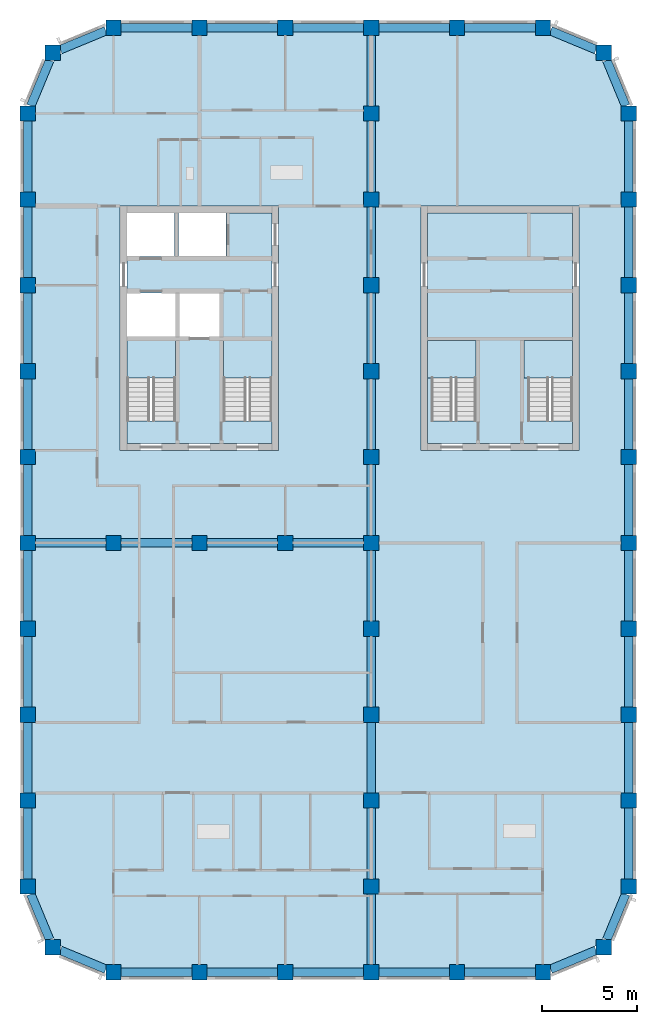
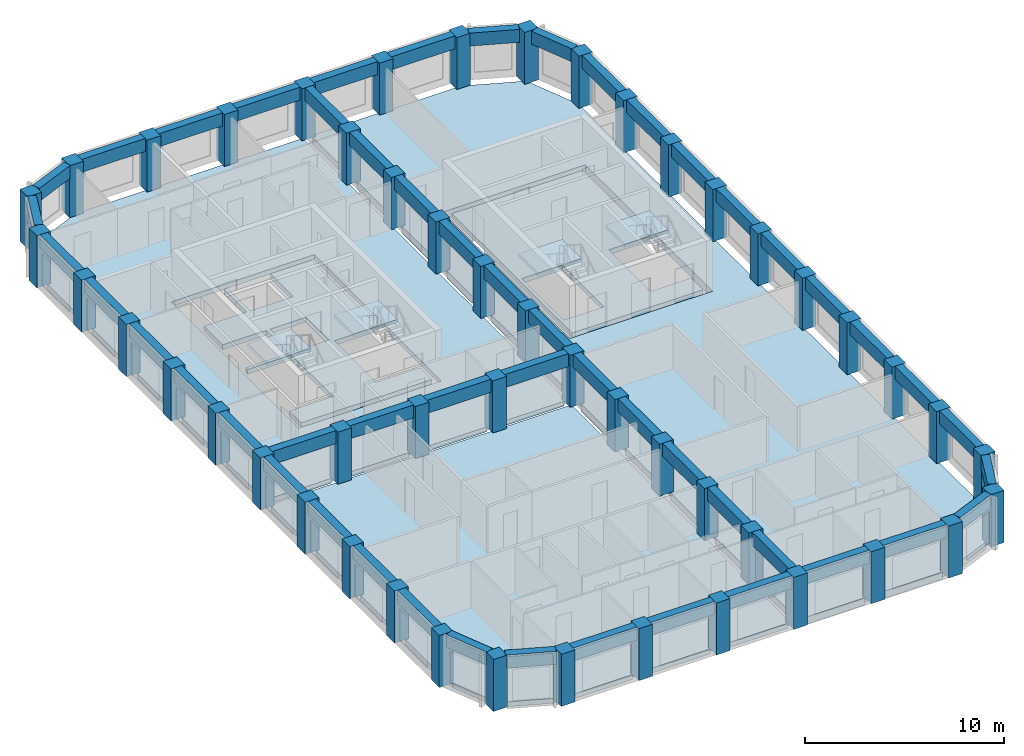
# One storey, part 1 of 10: 51 beams, 49 columns, 9 slabs, 4 elements without a shape of their own.
"""IFC4 building model written with IfcOpenShell, lengths in metres."""

from ifc_helpers import new_model, si_unit, direction, frame, origin, origin_2d, place, context, subcontext, project, spatial, polyline, rectangle, outline, extrude, material, layer, layer_set, material_profile, profile_set, type_object, element, aggregate, save


model = new_model("IFC4")

# Units and contexts
model_context = context("Model", 3, precision=1e-05, world=origin(), true_north=direction((0.0, 1.0)))
body_context = subcontext(model_context, "Body", "Model", "MODEL_VIEW")
ifc_project = project(units=[si_unit("LENGTHUNIT", "METRE"), si_unit("AREAUNIT", "SQUARE_METRE"), si_unit("VOLUMEUNIT", "CUBIC_METRE"), si_unit("PLANEANGLEUNIT", "RADIAN"), si_unit("MASSUNIT", "GRAM", prefix="KILO")], contexts=[model_context])

# Site, building, storey
site_placement = place(None, origin())
site = spatial("IfcSite", under=ifc_project, at=site_placement, CompositionType="ELEMENT")
building_placement = place(site_placement, origin())
building = spatial("IfcBuilding", under=site, at=building_placement, Name="Girih Gate Residences", CompositionType="ELEMENT")
storey_placement = place(building_placement, frame((0.0, 0.0, 192.300048828125)))
storey = spatial("IfcBuildingStorey", under=building, at=storey_placement, Name="L53", CompositionType="ELEMENT", Elevation=192.300048828125)

# Columns
ifc_material_1 = material(Name="Concrete C60/75", Category="concrete")
ifc_material_profile_1 = material_profile(ifc_material_1, rectangle(XDim=0.800048828125, YDim=0.800048828125, at=origin_2d()))
ifc_profile_set_1 = profile_set([ifc_material_profile_1], Name="Concrete C60/75")
column_type = type_object("IfcColumnType", Name="Pier RC 800x800 Concrete C60/75", PredefinedType="COLUMN", material=ifc_profile_set_1)
for number, where, z_axis, x_axis, name in (
    (1, (4.5, 0.0, 0.0), (0.0, 0.0, 1.0), (1.0, 0.0, 0.0), "Pier P2A L53"),
    (2, (9.0, 0.0, 0.0), (0.0, 0.0, 1.0), (1.0, 0.0, 0.0), "Pier P3A L53"),
    (3, (13.5, 0.0, 0.0), (0.0, 0.0, 1.0), (1.0, 0.0, 0.0), "Pier P4A L53"),
    (4, (18.0, 0.0, 0.0), (0.0, 0.0, 1.0), (1.0, 0.0, 0.0), "Pier P5A L53"),
    (5, (22.5, 0.0, 0.0), (0.0, 0.0, 1.0), (1.0, 0.0, 0.0), "Pier P6A L53"),
    (6, (27.0, 0.0, 0.0), (0.0, 0.0, 1.0), (1.0, 0.0, 0.0), "Pier P7A L53"),
    (7, (1.318115234375, 1.318115234375, 0.0), (0.0, 0.0, 1.0), (1.0, 0.0, 0.0), "Pier P1ANE L53"),
    (8, (30.181884765625, 1.318115234375, 0.0), (0.0, 0.0, 1.0), (1.0, 0.0, 0.0), "Pier P8ANW L53"),
    (9, (0.0, 4.5, 0.0), (0.0, 0.0, 1.0), (1.0, 0.0, 0.0), "Pier P1B L53"),
    (10, (18.0, 4.5, 0.0), (0.0, 0.0, 1.0), (1.0, 0.0, 0.0), "Pier P5B L53"),
    (11, (31.5, 4.5, 0.0), (0.0, 0.0, 1.0), (1.0, 0.0, 0.0), "Pier P8B L53"),
    (12, (0.0, 9.0, 0.0), (0.0, 0.0, 1.0), (1.0, 0.0, 0.0), "Pier P1C L53"),
    (13, (18.0, 9.0, 0.0), (0.0, 0.0, 1.0), (1.0, 0.0, 0.0), "Pier P5C L53"),
    (14, (31.5, 9.0, 0.0), (0.0, 0.0, 1.0), (1.0, 0.0, 0.0), "Pier P8C L53"),
    (15, (0.0, 13.5, 0.0), (0.0, 0.0, 1.0), (1.0, 0.0, 0.0), "Pier P1D L53"),
    (16, (18.0, 13.5, 0.0), (0.0, 0.0, 1.0), (1.0, 0.0, 0.0), "Pier P5D L53"),
    (17, (31.5, 13.5, 0.0), (0.0, 0.0, 1.0), (1.0, 0.0, 0.0), "Pier P8D L53"),
    (18, (0.0, 18.0, 0.0), (0.0, 0.0, 1.0), (1.0, 0.0, 0.0), "Pier P1E L53"),
    (19, (18.0, 18.0, 0.0), (0.0, 0.0, 1.0), (1.0, 0.0, 0.0), "Pier P5E L53"),
    (20, (31.5, 18.0, 0.0), (0.0, 0.0, 1.0), (1.0, 0.0, 0.0), "Pier P8E L53"),
    (21, (0.0, 22.5, 0.0), (0.0, 0.0, 1.0), (1.0, 0.0, 0.0), "Pier P1F L53"),
    (22, (4.5, 22.5, 0.0), (0.0, 0.0, 1.0), (1.0, 0.0, 0.0), "Pier P2F L53"),
    (23, (9.0, 22.5, 0.0), (0.0, 0.0, 1.0), (1.0, 0.0, 0.0), "Pier P3F L53"),
    (24, (13.5, 22.5, 0.0), (0.0, 0.0, 1.0), (1.0, 0.0, 0.0), "Pier P4F L53"),
    (25, (18.0, 22.5, 0.0), (0.0, 0.0, 1.0), (1.0, 0.0, 0.0), "Pier P5F L53"),
    (26, (31.5, 22.5, 0.0), (0.0, 0.0, 1.0), (1.0, 0.0, 0.0), "Pier P8F L53"),
    (27, (0.0, 27.0, 0.0), (0.0, 0.0, 1.0), (1.0, 0.0, 0.0), "Pier P1G L53"),
    (28, (18.0, 27.0, 0.0), (0.0, 0.0, 1.0), (1.0, 0.0, 0.0), "Pier P5G L53"),
    (29, (31.5, 27.0, 0.0), (0.0, 0.0, 1.0), (1.0, 0.0, 0.0), "Pier P8G L53"),
    (30, (0.0, 31.5, 0.0), (0.0, 0.0, 1.0), (1.0, 0.0, 0.0), "Pier P1H L53"),
    (31, (18.0, 31.5, 0.0), (0.0, 0.0, 1.0), (1.0, 0.0, 0.0), "Pier P5H L53"),
    (32, (31.5, 31.5, 0.0), (0.0, 0.0, 1.0), (1.0, 0.0, 0.0), "Pier P8H L53"),
    (33, (0.0, 36.0, 0.0), (0.0, 0.0, 1.0), (1.0, 0.0, 0.0), "Pier P1I L53"),
    (34, (18.0, 36.0, 0.0), (0.0, 0.0, 1.0), (1.0, 0.0, 0.0), "Pier P5I L53"),
    (35, (31.5, 36.0, 0.0), (0.0, 0.0, 1.0), (1.0, 0.0, 0.0), "Pier P8I L53"),
    (36, (0.0, 40.5, 0.0), (0.0, 0.0, 1.0), (1.0, 0.0, 0.0), "Pier P1J L53"),
    (37, (18.0, 40.5, 0.0), (0.0, 0.0, 1.0), (1.0, 0.0, 0.0), "Pier P5J L53"),
    (38, (31.5, 40.5, 0.0), (0.0, 0.0, 1.0), (1.0, 0.0, 0.0), "Pier P8J L53"),
    (39, (0.0, 45.0, 0.0), (0.0, 0.0, 1.0), (1.0, 0.0, 0.0), "Pier P1K L53"),
    (40, (18.0, 45.0, 0.0), (0.0, 0.0, 1.0), (1.0, 0.0, 0.0), "Pier P5K L53"),
    (41, (31.5, 45.0, 0.0), (0.0, 0.0, 1.0), (1.0, 0.0, 0.0), "Pier P8K L53"),
    (42, (1.318115234375, 48.181884765625, 0.0), (0.0, 0.0, 1.0), (1.0, 0.0, 0.0), "Pier P1LSE L53"),
    (43, (30.181884765625, 48.181884765625, 0.0), (0.0, 0.0, 1.0), (1.0, 0.0, 0.0), "Pier P8LSW L53"),
    (44, (4.5, 49.5, 0.0), (0.0, 0.0, 1.0), (1.0, 0.0, 0.0), "Pier P2L L53"),
    (45, (9.0, 49.5, 0.0), (0.0, 0.0, 1.0), (1.0, 0.0, 0.0), "Pier P3L L53"),
    (46, (13.5, 49.5, 0.0), (0.0, 0.0, 1.0), (1.0, 0.0, 0.0), "Pier P4L L53"),
    (47, (18.0, 49.5, 0.0), (0.0, 0.0, 1.0), (1.0, 0.0, 0.0), "Pier P5L L53"),
    (48, (22.5, 49.5, 0.0), (0.0, 0.0, 1.0), (1.0, 0.0, 0.0), "Pier P6L L53"),
    (49, (27.0, 49.5, 0.0), (0.0, 0.0, 1.0), (1.0, 0.0, 0.0), "Pier P7L L53"),
):
    element("IfcColumn", number, at=place(storey_placement, frame(where, z_axis=z_axis, x_axis=x_axis)), inside=storey, type_object=column_type, Name=name, PredefinedType="COLUMN", context=body_context, shape_type="SweptSolid", body=[
        extrude(rectangle(XDim=0.800048828125, YDim=0.800048828125, at=origin_2d()), origin(), (0.0, 0.0, 1.0), 3.199951171875),
    ])

# Beams
ifc_material_profile_2 = material_profile(ifc_material_1, rectangle(XDim=0.449951171875, YDim=0.800048828125, at=origin_2d()))
ifc_profile_set_2 = profile_set([ifc_material_profile_2], Name="Concrete C60/75")
beam_type = type_object("IfcBeamType", Name="Spandrel girder RC 450x800 Concrete C60/75", PredefinedType="BEAM", material=ifc_profile_set_2)
for number, where, z_axis, x_axis, name in (
    (50, (27.39990234375, 0.165771484375, 2.800048828125), (0.923895659062, 0.382644497107, 0.0), (-0.382644497107, 0.923895659062, 0.0), "Spandrel girder SP-P7A-P8ANW L53"),
    (51, (30.34765625, 1.718017578125, 2.800048828125), (0.382644497107, 0.923895659062, 0.0), (-0.923895659062, 0.382644497107, 0.0), "Spandrel girder SP-P8ANW-P8B L53"),
):
    element("IfcBeam", number, at=place(storey_placement, frame(where, z_axis=z_axis, x_axis=x_axis)), inside=storey, type_object=beam_type, Name=name, PredefinedType="BEAM", context=body_context, shape_type="SweptSolid", body=[
        extrude(rectangle(XDim=0.449951171875, YDim=0.800048828125, at=origin_2d()), origin(), (0.0, 0.0, 1.0), 2.578369140625),
    ])
for number, where, z_axis, x_axis, name in (
    (52, (31.5, 4.89990234375, 2.800048828125), (0.0, 1.0, 0.0), (-1.0, 0.0, 0.0), "Spandrel girder SP-P8B-P8C L53"),
    (53, (31.5, 9.39990234375, 2.800048828125), (0.0, 1.0, 0.0), (-1.0, 0.0, 0.0), "Spandrel girder SP-P8C-P8D L53"),
    (54, (31.5, 13.89990234375, 2.800048828125), (0.0, 1.0, 0.0), (-1.0, 0.0, 0.0), "Spandrel girder SP-P8D-P8E L53"),
    (55, (31.5, 18.39990234375, 2.800048828125), (0.0, 1.0, 0.0), (-1.0, 0.0, 0.0), "Spandrel girder SP-P8E-P8F L53"),
    (56, (31.5, 22.89990234375, 2.800048828125), (0.0, 1.0, 0.0), (-1.0, 0.0, 0.0), "Spandrel girder SP-P8F-P8G L53"),
    (57, (31.5, 27.39990234375, 2.800048828125), (0.0, 1.0, 0.0), (-1.0, 0.0, 0.0), "Spandrel girder SP-P8G-P8H L53"),
    (58, (31.5, 31.89990234375, 2.800048828125), (0.0, 1.0, 0.0), (-1.0, 0.0, 0.0), "Spandrel girder SP-P8H-P8I L53"),
    (59, (31.5, 36.39990234375, 2.800048828125), (0.0, 1.0, 0.0), (-1.0, 0.0, 0.0), "Spandrel girder SP-P8I-P8J L53"),
    (60, (31.5, 40.89990234375, 2.800048828125), (0.0, 1.0, 0.0), (-1.0, 0.0, 0.0), "Spandrel girder SP-P8J-P8K L53"),
):
    element("IfcBeam", number, at=place(storey_placement, frame(where, z_axis=z_axis, x_axis=x_axis)), inside=storey, type_object=beam_type, Name=name, PredefinedType="BEAM", context=body_context, shape_type="SweptSolid", body=[
        extrude(rectangle(XDim=0.449951171875, YDim=0.800048828125, at=origin_2d()), origin(), (0.0, 0.0, 1.0), 3.7001953125),
    ])
for number, where, z_axis, x_axis, name in (
    (61, (31.334228515625, 45.39990234375, 2.800048828125), (-0.382644497107, 0.923895659062, 0.0), (-0.923895659062, -0.382644497107, 0.0), "Spandrel girder SP-P8K-P8LSW L53"),
    (62, (29.781982421875, 48.34765625, 2.800048828125), (-0.923895659062, 0.382644497107, 0.0), (-0.382644497107, -0.923895659062, 0.0), "Spandrel girder SP-P8LSW-P7L L53"),
):
    element("IfcBeam", number, at=place(storey_placement, frame(where, z_axis=z_axis, x_axis=x_axis)), inside=storey, type_object=beam_type, Name=name, PredefinedType="BEAM", context=body_context, shape_type="SweptSolid", body=[
        extrude(rectangle(XDim=0.449951171875, YDim=0.800048828125, at=origin_2d()), origin(), (0.0, 0.0, 1.0), 2.578369140625),
    ])
for number, where, z_axis, x_axis, name in (
    (63, (26.60009765625, 49.5, 2.800048828125), (-1.0, 0.0, 0.0), (0.0, -1.0, 0.0), "Spandrel girder SP-P7L-P6L L53"),
    (64, (22.10009765625, 49.5, 2.800048828125), (-1.0, 0.0, 0.0), (0.0, -1.0, 0.0), "Spandrel girder SP-P6L-P5L L53"),
    (65, (17.60009765625, 49.5, 2.800048828125), (-1.0, 0.0, 0.0), (0.0, -1.0, 0.0), "Spandrel girder SP-P5L-P4L L53"),
    (66, (13.10009765625, 49.5, 2.800048828125), (-1.0, 0.0, 0.0), (0.0, -1.0, 0.0), "Spandrel girder SP-P4L-P3L L53"),
    (67, (8.60009765625, 49.5, 2.800048828125), (-1.0, 0.0, 0.0), (0.0, -1.0, 0.0), "Spandrel girder SP-P3L-P2L L53"),
):
    element("IfcBeam", number, at=place(storey_placement, frame(where, z_axis=z_axis, x_axis=x_axis)), inside=storey, type_object=beam_type, Name=name, PredefinedType="BEAM", context=body_context, shape_type="SweptSolid", body=[
        extrude(rectangle(XDim=0.449951171875, YDim=0.800048828125, at=origin_2d()), origin(), (0.0, 0.0, 1.0), 3.7001953125),
    ])
for number, where, z_axis, x_axis, name in (
    (68, (4.10009765625, 49.334228515625, 2.800048828125), (-0.923895659062, -0.382644497107, 0.0), (0.382644497107, -0.923895659062, 0.0), "Spandrel girder SP-P2L-P1LSE L53"),
    (69, (1.15234375, 47.781982421875, 2.800048828125), (-0.382644497107, -0.923895659062, 0.0), (0.923895659062, -0.382644497107, 0.0), "Spandrel girder SP-P1LSE-P1K L53"),
):
    element("IfcBeam", number, at=place(storey_placement, frame(where, z_axis=z_axis, x_axis=x_axis)), inside=storey, type_object=beam_type, Name=name, PredefinedType="BEAM", context=body_context, shape_type="SweptSolid", body=[
        extrude(rectangle(XDim=0.449951171875, YDim=0.800048828125, at=origin_2d()), origin(), (0.0, 0.0, 1.0), 2.578369140625),
    ])
for number, where, z_axis, x_axis, name in (
    (70, (0.0, 44.60009765625, 2.800048828125), (0.0, -1.0, 0.0), (1.0, 0.0, 0.0), "Spandrel girder SP-P1K-P1J L53"),
    (71, (0.0, 40.10009765625, 2.800048828125), (0.0, -1.0, 0.0), (1.0, 0.0, 0.0), "Spandrel girder SP-P1J-P1I L53"),
    (72, (0.0, 35.60009765625, 2.800048828125), (0.0, -1.0, 0.0), (1.0, 0.0, 0.0), "Spandrel girder SP-P1I-P1H L53"),
    (73, (0.0, 31.10009765625, 2.800048828125), (0.0, -1.0, 0.0), (1.0, 0.0, 0.0), "Spandrel girder SP-P1H-P1G L53"),
    (74, (0.0, 26.60009765625, 2.800048828125), (0.0, -1.0, 0.0), (1.0, 0.0, 0.0), "Spandrel girder SP-P1G-P1F L53"),
    (75, (0.0, 22.10009765625, 2.800048828125), (0.0, -1.0, 0.0), (1.0, 0.0, 0.0), "Spandrel girder SP-P1F-P1E L53"),
    (76, (0.0, 17.60009765625, 2.800048828125), (0.0, -1.0, 0.0), (1.0, 0.0, 0.0), "Spandrel girder SP-P1E-P1D L53"),
    (77, (0.0, 13.10009765625, 2.800048828125), (0.0, -1.0, 0.0), (1.0, 0.0, 0.0), "Spandrel girder SP-P1D-P1C L53"),
    (78, (0.0, 8.60009765625, 2.800048828125), (0.0, -1.0, 0.0), (1.0, 0.0, 0.0), "Spandrel girder SP-P1C-P1B L53"),
):
    element("IfcBeam", number, at=place(storey_placement, frame(where, z_axis=z_axis, x_axis=x_axis)), inside=storey, type_object=beam_type, Name=name, PredefinedType="BEAM", context=body_context, shape_type="SweptSolid", body=[
        extrude(rectangle(XDim=0.449951171875, YDim=0.800048828125, at=origin_2d()), origin(), (0.0, 0.0, 1.0), 3.7001953125),
    ])
for number, where, z_axis, x_axis, name in (
    (79, (0.165771484375, 4.10009765625, 2.800048828125), (0.382644497107, -0.923895659062, 0.0), (0.923895659062, 0.382644497107, 0.0), "Spandrel girder SP-P1B-P1ANE L53"),
    (80, (1.718017578125, 1.15234375, 2.800048828125), (0.923895659062, -0.382644497107, 0.0), (0.382644497107, 0.923895659062, 0.0), "Spandrel girder SP-P1ANE-P2A L53"),
):
    element("IfcBeam", number, at=place(storey_placement, frame(where, z_axis=z_axis, x_axis=x_axis)), inside=storey, type_object=beam_type, Name=name, PredefinedType="BEAM", context=body_context, shape_type="SweptSolid", body=[
        extrude(rectangle(XDim=0.449951171875, YDim=0.800048828125, at=origin_2d()), origin(), (0.0, 0.0, 1.0), 2.578369140625),
    ])
for number, where, z_axis, x_axis, name in (
    (81, (4.89990234375, 0.0, 2.800048828125), (1.0, 0.0, 0.0), (0.0, 1.0, 0.0), "Spandrel girder SP-P2A-P3A L53"),
    (82, (9.39990234375, 0.0, 2.800048828125), (1.0, 0.0, 0.0), (0.0, 1.0, 0.0), "Spandrel girder SP-P3A-P4A L53"),
    (83, (13.89990234375, 0.0, 2.800048828125), (1.0, 0.0, 0.0), (0.0, 1.0, 0.0), "Spandrel girder SP-P4A-P5A L53"),
    (84, (18.39990234375, 0.0, 2.800048828125), (1.0, 0.0, 0.0), (0.0, 1.0, 0.0), "Spandrel girder SP-P5A-P6A L53"),
    (85, (22.89990234375, 0.0, 2.800048828125), (1.0, 0.0, 0.0), (0.0, 1.0, 0.0), "Spandrel girder SP-P6A-P7A L53"),
    (86, (18.0, 0.39990234375, 2.800048828125), (0.0, 1.0, 0.0), (-1.0, 0.0, 0.0), "Spandrel girder SP-P5A-P5B L53"),
    (87, (18.0, 4.89990234375, 2.800048828125), (0.0, 1.0, 0.0), (-1.0, 0.0, 0.0), "Spandrel girder SP-P5B-P5C L53"),
    (88, (18.0, 9.39990234375, 2.800048828125), (0.0, 1.0, 0.0), (-1.0, 0.0, 0.0), "Spandrel girder SP-P5C-P5D L53"),
    (89, (18.0, 13.89990234375, 2.800048828125), (0.0, 1.0, 0.0), (-1.0, 0.0, 0.0), "Spandrel girder SP-P5D-P5E L53"),
    (90, (18.0, 18.39990234375, 2.800048828125), (0.0, 1.0, 0.0), (-1.0, 0.0, 0.0), "Spandrel girder SP-P5E-P5F L53"),
    (91, (18.0, 22.89990234375, 2.800048828125), (0.0, 1.0, 0.0), (-1.0, 0.0, 0.0), "Spandrel girder SP-P5F-P5G L53"),
    (92, (18.0, 27.39990234375, 2.800048828125), (0.0, 1.0, 0.0), (-1.0, 0.0, 0.0), "Spandrel girder SP-P5G-P5H L53"),
    (93, (18.0, 31.89990234375, 2.800048828125), (0.0, 1.0, 0.0), (-1.0, 0.0, 0.0), "Spandrel girder SP-P5H-P5I L53"),
    (94, (18.0, 36.39990234375, 2.800048828125), (0.0, 1.0, 0.0), (-1.0, 0.0, 0.0), "Spandrel girder SP-P5I-P5J L53"),
    (95, (18.0, 40.89990234375, 2.800048828125), (0.0, 1.0, 0.0), (-1.0, 0.0, 0.0), "Spandrel girder SP-P5J-P5K L53"),
    (96, (18.0, 45.39990234375, 2.800048828125), (0.0, 1.0, 0.0), (-1.0, 0.0, 0.0), "Spandrel girder SP-P5K-P5L L53"),
    (97, (0.39990234375, 22.5, 2.800048828125), (1.0, 0.0, 0.0), (0.0, 1.0, 0.0), "Spandrel girder SP-P1F-P2F L53"),
    (98, (4.89990234375, 22.5, 2.800048828125), (1.0, 0.0, 0.0), (0.0, 1.0, 0.0), "Spandrel girder SP-P2F-P3F L53"),
    (99, (9.39990234375, 22.5, 2.800048828125), (1.0, 0.0, 0.0), (0.0, 1.0, 0.0), "Spandrel girder SP-P3F-P4F L53"),
    (100, (13.89990234375, 22.5, 2.800048828125), (1.0, 0.0, 0.0), (0.0, 1.0, 0.0), "Spandrel girder SP-P4F-P5F L53"),
):
    element("IfcBeam", number, at=place(storey_placement, frame(where, z_axis=z_axis, x_axis=x_axis)), inside=storey, type_object=beam_type, Name=name, PredefinedType="BEAM", context=body_context, shape_type="SweptSolid", body=[
        extrude(rectangle(XDim=0.449951171875, YDim=0.800048828125, at=origin_2d()), origin(), (0.0, 0.0, 1.0), 3.7001953125),
    ])

# Slabs
ifc_material_2 = material(Name="Concrete C40/50", Category="concrete")
ifc_layer_1 = layer(ifc_material_2, 0.300048828125)
ifc_layer_set_1 = layer_set([ifc_layer_1], Name="Core floor slab 300")
slab_type_1 = type_object("IfcSlabType", Name="Core floor slab 300", PredefinedType="FLOOR", material=ifc_layer_set_1)
slab_1_placement = place(storey_placement, frame((0.0, 0.0, -0.300048828125)))
element("IfcSlab", 101, at=slab_1_placement, inside=storey, type_object=slab_type_1, Name="L53 W core floor", PredefinedType="FLOOR", context=body_context, shape_type="SweptSolid", body=[
    extrude(outline(polyline([(12.800048828125, 27.699951171875), (5.199951171875, 27.699951171875), (5.199951171875, 28.900634765625), (7.75, 28.900634765625), (7.75, 33.10009765625), (5.199951171875, 33.10009765625), (5.199951171875, 33.300048828125), (7.75, 33.300048828125), (7.75, 35.60009765625), (5.199951171875, 35.60009765625), (5.199951171875, 37.5), (7.699951171875, 37.5), (7.699951171875, 39.800048828125), (7.89990234375, 39.800048828125), (7.89990234375, 37.5), (10.39990234375, 37.5), (10.39990234375, 39.800048828125), (12.800048828125, 39.800048828125), (12.800048828125, 33.10009765625), (10.25, 33.10009765625), (10.25, 28.900634765625), (12.800048828125, 28.900634765625), (12.800048828125, 27.699951171875)]), holes=[polyline([(7.949951171875, 33.300048828125), (10.050048828125, 33.300048828125), (10.050048828125, 35.60009765625), (7.949951171875, 35.60009765625), (7.949951171875, 33.300048828125)])]), origin(), (0.0, 0.0, 1.0), 0.300048828125),
])
slab_2_placement = place(storey_placement, frame((0.0, 0.0, -0.300048828125)))
element("IfcSlab", 102, at=slab_2_placement, inside=storey, type_object=slab_type_1, Name="L53 C core floor", PredefinedType="FLOOR", context=body_context, shape_type="SweptSolid", body=[
    extrude(outline(polyline([(28.550048828125, 27.699951171875), (20.949951171875, 27.699951171875), (20.949951171875, 39.800048828125), (28.550048828125, 39.800048828125), (28.550048828125, 33.10009765625), (26.199951171875, 33.10009765625), (26.199951171875, 28.900634765625), (28.550048828125, 28.900634765625), (28.550048828125, 27.699951171875)]), holes=[polyline([(23.5, 28.900634765625), (23.5, 33.10009765625), (21.14990234375, 33.10009765625), (21.14990234375, 28.900634765625), (23.5, 28.900634765625)])]), origin(), (0.0, 0.0, 1.0), 0.300048828125),
])
ifc_layer_2 = layer(ifc_material_2, 0.300048828125)
ifc_layer_set_2 = layer_set([ifc_layer_2], Name="Floor slab PT 300 Concrete C40/50")
slab_type_2 = type_object("IfcSlabType", Name="Floor slab PT 300 Concrete C40/50", PredefinedType="FLOOR", material=ifc_layer_set_2)
slab_3_placement = place(storey_placement, frame((0.0, 0.0, -0.300048828125)))
element("IfcSlab", 103, at=slab_3_placement, inside=storey, type_object=slab_type_2, Name="Floor slab L53 0", PredefinedType="FLOOR", context=body_context, shape_type="SweptSolid", body=[
    extrude(outline(polyline([(13.89990234375, 0.22509765625), (17.60009765625, 0.22509765625), (17.60009765625, 0.39990234375), (17.77490234375, 0.39990234375), (17.77490234375, 4.10009765625), (17.60009765625, 4.10009765625), (17.60009765625, 4.89990234375), (17.77490234375, 4.89990234375), (17.77490234375, 8.60009765625), (17.60009765625, 8.60009765625), (17.60009765625, 9.39990234375), (17.77490234375, 9.39990234375), (17.77490234375, 13.10009765625), (17.60009765625, 13.10009765625), (17.60009765625, 13.89990234375), (17.77490234375, 13.89990234375), (17.77490234375, 17.60009765625), (17.60009765625, 17.60009765625), (17.60009765625, 18.39990234375), (17.77490234375, 18.39990234375), (17.77490234375, 22.10009765625), (17.60009765625, 22.10009765625), (17.60009765625, 22.27490234375), (13.89990234375, 22.27490234375), (13.89990234375, 22.10009765625), (13.10009765625, 22.10009765625), (13.10009765625, 22.27490234375), (9.39990234375, 22.27490234375), (9.39990234375, 22.10009765625), (8.60009765625, 22.10009765625), (8.60009765625, 22.27490234375), (4.89990234375, 22.27490234375), (4.89990234375, 22.10009765625), (4.10009765625, 22.10009765625), (4.10009765625, 22.27490234375), (0.39990234375, 22.27490234375), (0.39990234375, 22.10009765625), (0.22509765625, 22.10009765625), (0.22509765625, 18.39990234375), (0.39990234375, 18.39990234375), (0.39990234375, 17.60009765625), (0.22509765625, 17.60009765625), (0.22509765625, 13.89990234375), (0.39990234375, 13.89990234375), (0.39990234375, 13.10009765625), (0.22509765625, 13.10009765625), (0.22509765625, 9.39990234375), (0.39990234375, 9.39990234375), (0.39990234375, 8.60009765625), (0.22509765625, 8.60009765625), (0.22509765625, 4.89990234375), (0.39990234375, 4.89990234375), (0.39990234375, 4.122314453125), (1.395751953125, 1.718017578125), (1.718017578125, 1.718017578125), (1.718017578125, 1.395751953125), (4.122314453125, 0.39990234375), (4.89990234375, 0.39990234375), (4.89990234375, 0.22509765625), (8.60009765625, 0.22509765625), (8.60009765625, 0.39990234375), (9.39990234375, 0.39990234375), (9.39990234375, 0.22509765625), (13.10009765625, 0.22509765625), (13.10009765625, 0.39990234375), (13.89990234375, 0.39990234375), (13.89990234375, 0.22509765625)])), origin(), (0.0, 0.0, 1.0), 0.300048828125),
])
slab_4_placement = place(storey_placement, frame((0.0, 0.0, -0.300048828125)))
element("IfcSlab", 104, at=slab_4_placement, inside=storey, type_object=slab_type_2, Name="Floor slab L53 2", PredefinedType="FLOOR", context=body_context, shape_type="SweptSolid", body=[
    extrude(outline(polyline([(0.22509765625, 26.60009765625), (0.22509765625, 22.89990234375), (0.39990234375, 22.89990234375), (0.39990234375, 22.72509765625), (4.10009765625, 22.72509765625), (4.10009765625, 22.89990234375), (4.89990234375, 22.89990234375), (4.89990234375, 22.72509765625), (8.60009765625, 22.72509765625), (8.60009765625, 22.89990234375), (9.39990234375, 22.89990234375), (9.39990234375, 22.72509765625), (13.10009765625, 22.72509765625), (13.10009765625, 22.89990234375), (13.89990234375, 22.89990234375), (13.89990234375, 22.72509765625), (17.60009765625, 22.72509765625), (17.60009765625, 22.89990234375), (17.77490234375, 22.89990234375), (17.77490234375, 26.60009765625), (17.60009765625, 26.60009765625), (17.60009765625, 27.39990234375), (17.77490234375, 27.39990234375), (17.77490234375, 31.10009765625), (17.60009765625, 31.10009765625), (17.60009765625, 31.89990234375), (17.77490234375, 31.89990234375), (17.77490234375, 35.60009765625), (17.60009765625, 35.60009765625), (17.60009765625, 36.39990234375), (17.77490234375, 36.39990234375), (17.77490234375, 40.10009765625), (17.60009765625, 40.10009765625), (17.60009765625, 40.89990234375), (17.77490234375, 40.89990234375), (17.77490234375, 44.60009765625), (17.60009765625, 44.60009765625), (17.60009765625, 45.39990234375), (17.77490234375, 45.39990234375), (17.77490234375, 49.10009765625), (17.60009765625, 49.10009765625), (17.60009765625, 49.27490234375), (13.89990234375, 49.27490234375), (13.89990234375, 49.10009765625), (13.10009765625, 49.10009765625), (13.10009765625, 49.27490234375), (9.39990234375, 49.27490234375), (9.39990234375, 49.10009765625), (8.60009765625, 49.10009765625), (8.60009765625, 49.27490234375), (4.89990234375, 49.27490234375), (4.89990234375, 49.10009765625), (4.122314453125, 49.10009765625), (1.718017578125, 48.104248046875), (1.718017578125, 47.781982421875), (1.395751953125, 47.781982421875), (0.39990234375, 45.377685546875), (0.39990234375, 44.60009765625), (0.22509765625, 44.60009765625), (0.22509765625, 40.89990234375), (0.39990234375, 40.89990234375), (0.39990234375, 40.10009765625), (0.22509765625, 40.10009765625), (0.22509765625, 36.39990234375), (0.39990234375, 36.39990234375), (0.39990234375, 35.60009765625), (0.22509765625, 35.60009765625), (0.22509765625, 31.89990234375), (0.39990234375, 31.89990234375), (0.39990234375, 31.10009765625), (0.22509765625, 31.10009765625), (0.22509765625, 27.39990234375), (0.39990234375, 27.39990234375), (0.39990234375, 26.60009765625), (0.22509765625, 26.60009765625)]), holes=[polyline([(13.14990234375, 40.14990234375), (13.14990234375, 27.35009765625), (4.85009765625, 27.35009765625), (4.85009765625, 40.14990234375), (13.14990234375, 40.14990234375)])]), origin(), (0.0, 0.0, 1.0), 0.300048828125),
])
ifc_layer_3 = layer(ifc_material_2, 0.449951171875)
ifc_layer_set_3 = layer_set([ifc_layer_3], Name="Floor slab PT 450 Concrete C40/50")
slab_type_3 = type_object("IfcSlabType", Name="Floor slab PT 450 Concrete C40/50", PredefinedType="FLOOR", material=ifc_layer_set_3)
slab_5_placement = place(storey_placement, frame((0.0, 0.0, -0.449951171875)))
element("IfcSlab", 105, at=slab_5_placement, inside=storey, type_object=slab_type_3, Name="Floor slab L53 1", PredefinedType="FLOOR", context=body_context, shape_type="SweptSolid", body=[
    extrude(outline(polyline([(22.89990234375, 0.22509765625), (26.60009765625, 0.22509765625), (26.60009765625, 0.39990234375), (27.377685546875, 0.39990234375), (29.781982421875, 1.395751953125), (29.781982421875, 1.718017578125), (30.104248046875, 1.718017578125), (31.10009765625, 4.122314453125), (31.10009765625, 4.89990234375), (31.27490234375, 4.89990234375), (31.27490234375, 8.60009765625), (31.10009765625, 8.60009765625), (31.10009765625, 9.39990234375), (31.27490234375, 9.39990234375), (31.27490234375, 13.10009765625), (31.10009765625, 13.10009765625), (31.10009765625, 13.89990234375), (31.27490234375, 13.89990234375), (31.27490234375, 17.60009765625), (31.10009765625, 17.60009765625), (31.10009765625, 18.39990234375), (31.27490234375, 18.39990234375), (31.27490234375, 22.10009765625), (31.10009765625, 22.10009765625), (31.10009765625, 22.89990234375), (31.27490234375, 22.89990234375), (31.27490234375, 26.60009765625), (31.10009765625, 26.60009765625), (31.10009765625, 27.39990234375), (31.27490234375, 27.39990234375), (31.27490234375, 31.10009765625), (31.10009765625, 31.10009765625), (31.10009765625, 31.89990234375), (31.27490234375, 31.89990234375), (31.27490234375, 35.60009765625), (31.10009765625, 35.60009765625), (31.10009765625, 36.39990234375), (31.27490234375, 36.39990234375), (31.27490234375, 40.10009765625), (31.10009765625, 40.10009765625), (31.10009765625, 40.89990234375), (31.27490234375, 40.89990234375), (31.27490234375, 44.60009765625), (31.10009765625, 44.60009765625), (31.10009765625, 45.377685546875), (30.104248046875, 47.781982421875), (29.781982421875, 47.781982421875), (29.781982421875, 48.104248046875), (27.377685546875, 49.10009765625), (26.60009765625, 49.10009765625), (26.60009765625, 49.27490234375), (22.89990234375, 49.27490234375), (22.89990234375, 49.10009765625), (22.10009765625, 49.10009765625), (22.10009765625, 49.27490234375), (18.39990234375, 49.27490234375), (18.39990234375, 49.10009765625), (18.22509765625, 49.10009765625), (18.22509765625, 45.39990234375), (18.39990234375, 45.39990234375), (18.39990234375, 44.60009765625), (18.22509765625, 44.60009765625), (18.22509765625, 40.89990234375), (18.39990234375, 40.89990234375), (18.39990234375, 40.10009765625), (18.22509765625, 40.10009765625), (18.22509765625, 36.39990234375), (18.39990234375, 36.39990234375), (18.39990234375, 35.60009765625), (18.22509765625, 35.60009765625), (18.22509765625, 31.89990234375), (18.39990234375, 31.89990234375), (18.39990234375, 31.10009765625), (18.22509765625, 31.10009765625), (18.22509765625, 27.39990234375), (18.39990234375, 27.39990234375), (18.39990234375, 26.60009765625), (18.22509765625, 26.60009765625), (18.22509765625, 22.89990234375), (18.39990234375, 22.89990234375), (18.39990234375, 22.10009765625), (18.22509765625, 22.10009765625), (18.22509765625, 18.39990234375), (18.39990234375, 18.39990234375), (18.39990234375, 17.60009765625), (18.22509765625, 17.60009765625), (18.22509765625, 13.89990234375), (18.39990234375, 13.89990234375), (18.39990234375, 13.10009765625), (18.22509765625, 13.10009765625), (18.22509765625, 9.39990234375), (18.39990234375, 9.39990234375), (18.39990234375, 8.60009765625), (18.22509765625, 8.60009765625), (18.22509765625, 4.89990234375), (18.39990234375, 4.89990234375), (18.39990234375, 4.10009765625), (18.22509765625, 4.10009765625), (18.22509765625, 0.39990234375), (18.39990234375, 0.39990234375), (18.39990234375, 0.22509765625), (22.10009765625, 0.22509765625), (22.10009765625, 0.39990234375), (22.89990234375, 0.39990234375), (22.89990234375, 0.22509765625)]), holes=[polyline([(28.89990234375, 40.14990234375), (28.89990234375, 27.35009765625), (20.60009765625, 27.35009765625), (20.60009765625, 40.14990234375), (28.89990234375, 40.14990234375)])]), origin(), (0.0, 0.0, 1.0), 0.449951171875),
])

# Stair, slab
stair_type_1 = type_object("IfcStairType", Name="Exit stair", PredefinedType="HALF_TURN_STAIR", material=ifc_material_2)
stair_1_placement = place(storey_placement, origin())
stair_1 = element("IfcStair", 106, at=stair_1_placement, inside=storey, type_object=stair_type_1, Name="L53 Exit Stair ST-W1", PredefinedType="HALF_TURN_STAIR")
ifc_layer_4 = layer(ifc_material_2, 0.199951171875)
ifc_layer_set_4 = layer_set([ifc_layer_4], Name="Stair landing 200")
slab_type_4 = type_object("IfcSlabType", Name="Stair landing 200", PredefinedType="LANDING", material=ifc_layer_set_4)
slab_6_placement = place(storey_placement, frame((0.0, 0.0, 1.39990234375)))
slab_6 = element("IfcSlab", 107, at=slab_6_placement, type_object=slab_type_4, Name="ST-W1 landing 1", PredefinedType="LANDING", context=body_context, shape_type="SweptSolid", body=[
    extrude(outline(polyline([(7.75, 31.14990234375), (7.75, 33.10009765625), (5.199951171875, 33.10009765625), (5.199951171875, 31.14990234375), (7.75, 31.14990234375)])), origin(), (0.0, 0.0, 1.0), 0.199951171875),
])
aggregate(stair_1, [slab_6])

stair_2_placement = place(storey_placement, origin())
stair_2 = element("IfcStair", 108, at=stair_2_placement, inside=storey, type_object=stair_type_1, Name="L53 Exit Stair ST-W2", PredefinedType="HALF_TURN_STAIR")
slab_7_placement = place(storey_placement, frame((0.0, 0.0, 1.39990234375)))
slab_7 = element("IfcSlab", 109, at=slab_7_placement, type_object=slab_type_4, Name="ST-W2 landing 1", PredefinedType="LANDING", context=body_context, shape_type="SweptSolid", body=[
    extrude(outline(polyline([(12.800048828125, 31.14990234375), (12.800048828125, 33.10009765625), (10.25, 33.10009765625), (10.25, 31.14990234375), (12.800048828125, 31.14990234375)])), origin(), (0.0, 0.0, 1.0), 0.199951171875),
])
aggregate(stair_2, [slab_7])

stair_type_2 = type_object("IfcStairType", Name="Exit stair C core", PredefinedType="HALF_TURN_STAIR", material=ifc_material_2)
stair_3_placement = place(storey_placement, origin())
stair_3 = element("IfcStair", 110, at=stair_3_placement, inside=storey, type_object=stair_type_2, Name="L53 Exit Stair ST-C1", PredefinedType="HALF_TURN_STAIR")
slab_8_placement = place(storey_placement, frame((0.0, 0.0, 1.39990234375)))
slab_8 = element("IfcSlab", 111, at=slab_8_placement, type_object=slab_type_4, Name="ST-C1 landing 1", PredefinedType="LANDING", context=body_context, shape_type="SweptSolid", body=[
    extrude(outline(polyline([(23.5, 31.14990234375), (23.5, 33.10009765625), (20.949951171875, 33.10009765625), (20.949951171875, 31.14990234375), (23.5, 31.14990234375)])), origin(), (0.0, 0.0, 1.0), 0.199951171875),
])
aggregate(stair_3, [slab_8])

stair_4_placement = place(storey_placement, origin())
stair_4 = element("IfcStair", 112, at=stair_4_placement, inside=storey, type_object=stair_type_2, Name="L53 Exit Stair ST-C2", PredefinedType="HALF_TURN_STAIR")
slab_9_placement = place(storey_placement, frame((0.0, 0.0, 1.39990234375)))
slab_9 = element("IfcSlab", 113, at=slab_9_placement, type_object=slab_type_4, Name="ST-C2 landing 1", PredefinedType="LANDING", context=body_context, shape_type="SweptSolid", body=[
    extrude(outline(polyline([(28.550048828125, 31.14990234375), (28.550048828125, 33.10009765625), (26.0, 33.10009765625), (26.0, 31.14990234375), (28.550048828125, 31.14990234375)])), origin(), (0.0, 0.0, 1.0), 0.199951171875),
])
aggregate(stair_4, [slab_9])

save(model, "model.ifc")
